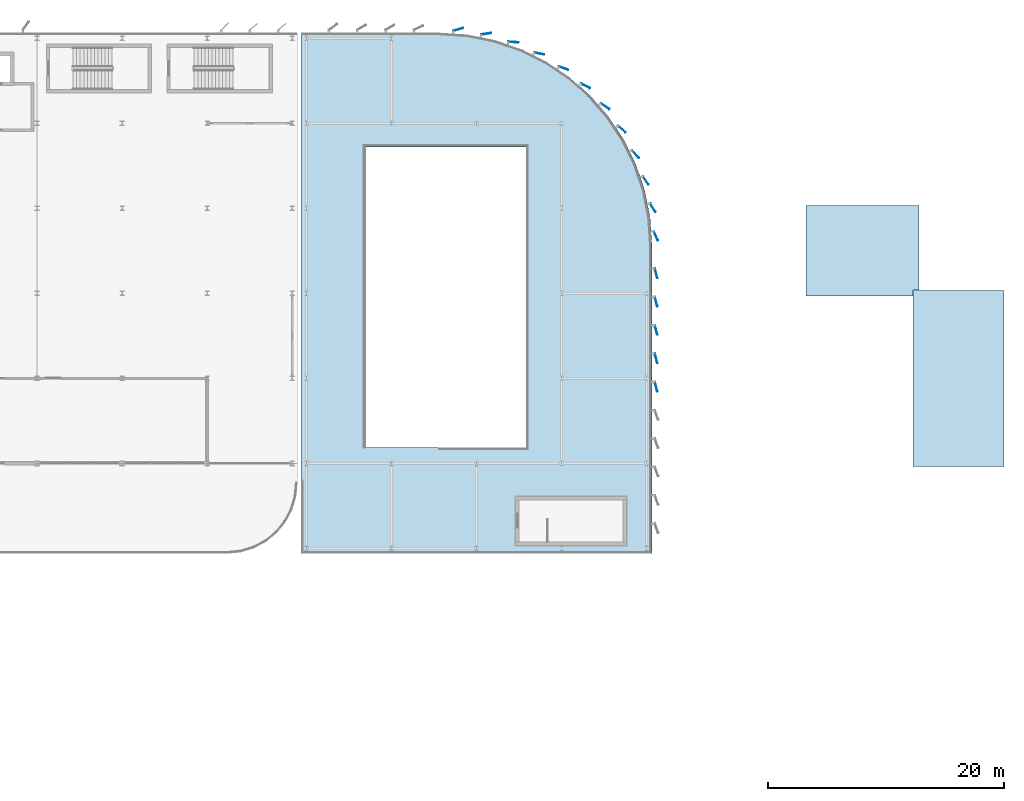
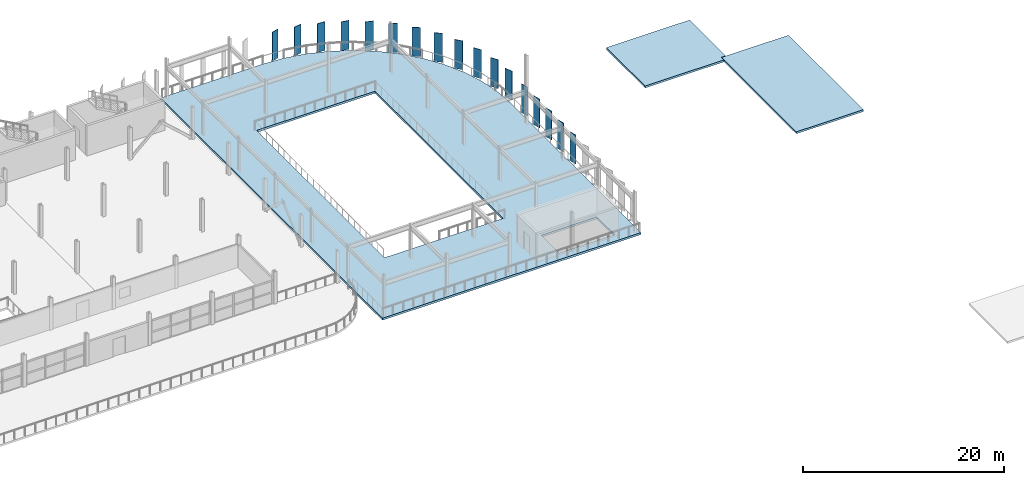
# One storey, part 24 of 40: 17 plates, 3 slabs.
"""IFC4 building model written with IfcOpenShell, lengths in metres."""

from ifc_helpers import new_model, si_unit, direction, frame, origin, origin_2d, place, context, subcontext, project, spatial, polyline, rectangle, outline, extrude, material, layer, layer_set, type_object, element, save


model = new_model("IFC4")

# Units and contexts
model_context = context("Model", 3, precision=1e-05, world=origin(), true_north=direction((0.0, 1.0)))
body_context = subcontext(model_context, "Body", "Model", "MODEL_VIEW")
ifc_project = project(units=[si_unit("LENGTHUNIT", "METRE"), si_unit("AREAUNIT", "SQUARE_METRE"), si_unit("VOLUMEUNIT", "CUBIC_METRE"), si_unit("PLANEANGLEUNIT", "RADIAN"), si_unit("MASSUNIT", "GRAM", prefix="KILO")], contexts=[model_context])

# Site, building, storey
site_placement = place(None, origin())
site = spatial("IfcSite", under=ifc_project, at=site_placement, CompositionType="ELEMENT")
building_placement = place(site_placement, origin())
building = spatial("IfcBuilding", under=site, at=building_placement, Name="Vaelcorin Mobility Hub", CompositionType="ELEMENT")
storey_placement = place(building_placement, frame((0.0, 0.0, 17.10009765625)))
storey = spatial("IfcBuildingStorey", under=building, at=storey_placement, Name="L04", CompositionType="ELEMENT", Elevation=17.10009765625)

# Plates
ifc_material_1 = material(Name="Perforated terracotta-bronze aluminium aerofoil", Category="masonry")
ifc_layer_1 = layer(ifc_material_1, 0.06005859375)
ifc_layer_set_1 = layer_set([ifc_layer_1], Name="Perforated terracotta-bronze aluminium aerofoil")
plate_type = type_object("IfcPlateType", Name="PL-FIN-AF1", PredefinedType="SHEET", material=ifc_layer_set_1)
for number, where, z_axis, x_axis, name in (
    (1, (153.18408203125, 103.2509765625, -0.16015625), (0.0, 0.0, 1.0), (0.402762664996, -0.915304449724, 0.0), "Rotating Terracotta-Bronze Aerofoil Fin FIN-V2E-L04-ARC-01"),
    (2, (152.922119140625, 105.636962890625, -0.16015625), (0.0, 0.0, 1.0), (0.51859419446, -0.855020503539, 0.0), "Rotating Terracotta-Bronze Aerofoil Fin FIN-V2E-L04-ARC-02"),
    (3, (152.322021484375, 107.947021484375, -0.16015625), (0.0, 0.0, 1.0), (0.555686322663, -0.831392031959, 0.0), "Rotating Terracotta-Bronze Aerofoil Fin FIN-V2E-L04-ARC-03"),
    (4, (151.455078125, 110.180908203125, -0.16015625), (0.0, 0.0, 1.0), (0.659477025858, -0.751724718475, 0.0), "Rotating Terracotta-Bronze Aerofoil Fin FIN-V2E-L04-ARC-04"),
    (5, (150.302978515625, 112.281982421875, -0.16015625), (0.0, 0.0, 1.0), (0.751770756824, -0.659424543965, 0.0), "Rotating Terracotta-Bronze Aerofoil Fin FIN-V2E-L04-ARC-05"),
    (6, (148.887939453125, 114.215087890625, -0.16015625), (0.0, 0.0, 1.0), (0.831421126488, -0.555642790316, 0.0), "Rotating Terracotta-Bronze Aerofoil Fin FIN-V2E-L04-ARC-06"),
    (7, (147.23193359375, 115.947021484375, -0.16015625), (0.0, 0.0, 1.0), (0.896911335087, -0.442210421623, 0.0), "Rotating Terracotta-Bronze Aerofoil Fin FIN-V2E-L04-ARC-07"),
    (8, (145.364990234375, 117.447021484375, -0.16015625), (0.0, 0.0, 1.0), (0.946963785365, -0.32134030125, 0.0), "Rotating Terracotta-Bronze Aerofoil Fin FIN-V2E-L04-ARC-08"),
    (9, (143.31689453125, 118.69091796875, -0.16015625), (0.0, 0.0, 1.0), (0.980751215781, -0.195261498368, 0.0), "Rotating Terracotta-Bronze Aerofoil Fin FIN-V2E-L04-ARC-09"),
    (10, (141.125, 119.657958984375, -0.16015625), (0.0, 0.0, 1.0), (0.997849781512, -0.065542455982, 0.0), "Rotating Terracotta-Bronze Aerofoil Fin FIN-V2E-L04-ARC-10"),
    (11, (138.821044921875, 120.366943359375, -0.16015625), (0.0, 0.0, 1.0), (0.988329628143, 0.152330384803, 0.0), "Rotating Terracotta-Bronze Aerofoil Fin FIN-V2E-L04-ARC-11"),
    (12, (136.447998046875, 120.73095703125, -0.16015625), (0.0, 0.0, 1.0), (0.960054738177, 0.279812257957, 0.0), "Rotating Terracotta-Bronze Aerofoil Fin FIN-V2E-L04-ARC-12"),
    (13, (153.199951171875, 100.089111328125, -0.16015625), (0.0, 0.0, 1.0), (0.258819045103, -0.965925826289, 0.0), "Rotating Terracotta-Bronze Aerofoil Fin FIN-V2E-L04-E-AF-01"),
    (14, (153.199951171875, 97.68896484375, -0.16015625), (0.0, 0.0, 1.0), (0.258819045103, -0.965925826289, 0.0), "Rotating Terracotta-Bronze Aerofoil Fin FIN-V2E-L04-E-AF-02"),
    (15, (153.199951171875, 95.2890625, -0.16015625), (0.0, 0.0, 1.0), (0.258819045103, -0.965925826289, 0.0), "Rotating Terracotta-Bronze Aerofoil Fin FIN-V2E-L04-E-AF-03"),
    (16, (153.199951171875, 92.888916015625, -0.16015625), (0.0, 0.0, 1.0), (0.258819045103, -0.965925826289, 0.0), "Rotating Terracotta-Bronze Aerofoil Fin FIN-V2E-L04-E-AF-04"),
    (17, (153.199951171875, 90.489013671875, -0.16015625), (0.0, 0.0, 1.0), (0.258819045103, -0.965925826289, 0.0), "Rotating Terracotta-Bronze Aerofoil Fin FIN-V2E-L04-E-AF-05"),
):
    element("IfcPlate", number, at=place(storey_placement, frame(where, z_axis=z_axis, x_axis=x_axis)), inside=storey, type_object=plate_type, Name=name, PredefinedType="SHEET", context=body_context, shape_type="SweptSolid", body=[
        extrude(rectangle(XDim=0.85009765625, YDim=0.06005859375, at=origin_2d()), origin(), (0.0, 0.0, 1.0), 3.5),
    ])

# Slabs
ifc_material_2 = material(Name="Concrete f'c 35 MPa", Category="concrete")
ifc_layer_2 = layer(ifc_material_2, 0.199951171875)
ifc_layer_set_2 = layer_set([ifc_layer_2], Name="Concrete f'c 35 MPa")
slab_type_1 = type_object("IfcSlabType", Name="SLAB-RF-V4P", PredefinedType="ROOF", material=ifc_layer_set_2)
slab_1_placement = place(storey_placement, frame((0.0, 0.0, -0.239990234375)))
element("IfcSlab", 18, at=slab_1_placement, inside=storey, type_object=slab_type_1, Name="Roof Garden Pavilion Canopy GPAVN", PredefinedType="ROOF", context=body_context, shape_type="SweptSolid", body=[
    extrude(outline(polyline([(174.949951171875, 83.75), (182.64990234375, 83.75), (182.64990234375, 98.64990234375), (174.949951171875, 98.64990234375), (174.949951171875, 83.75)])), origin(), (0.0, 0.0, 1.0), 0.239990234375),
])
slab_2_placement = place(storey_placement, frame((0.0, 0.0, -0.239990234375)))
element("IfcSlab", 19, at=slab_2_placement, inside=storey, type_object=slab_type_1, Name="North Garden Lift Lobby Canopy Roof", PredefinedType="ROOF", context=body_context, shape_type="SweptSolid", body=[
    extrude(outline(polyline([(165.89990234375, 98.14990234375), (174.93994140625, 98.14990234375), (174.93994140625, 98.659912109375), (175.449951171875, 98.659912109375), (175.449951171875, 105.85009765625), (165.89990234375, 105.85009765625), (165.89990234375, 98.14990234375)])), origin(), (0.0, 0.0, 1.0), 0.239990234375),
])
ifc_layer_3 = layer(ifc_material_2, 0.25)
ifc_layer_set_3 = layer_set([ifc_layer_3], Name="Concrete f'c 35 MPa")
slab_type_2 = type_object("IfcSlabType", Name="SLAB-RMP", PredefinedType="FLOOR", material=ifc_layer_set_3)
slab_3_placement = place(storey_placement, frame((0.0, 0.0, -0.25)))
element("IfcSlab", 20, at=slab_3_placement, inside=storey, type_object=slab_type_2, Name="L04 V2E Ramp Transition Deck SL-V2E-L04", PredefinedType="FLOOR", context=body_context, shape_type="SweptSolid", body=[
    extrude(outline(polyline([(123.14990234375, 120.449951171875), (134.85009765625, 120.449951171875), (137.198974609375, 120.2958984375), (139.509033203125, 119.8369140625), (141.738037109375, 119.080078125), (143.85009765625, 118.0380859375), (145.80810546875, 116.72998046875), (147.577880859375, 115.177978515625), (149.1298828125, 113.407958984375), (150.43798828125, 111.449951171875), (151.47998046875, 109.337890625), (152.237060546875, 107.10888671875), (152.696044921875, 104.799072265625), (152.85009765625, 102.449951171875), (152.85009765625, 76.35009765625), (123.14990234375, 76.35009765625), (123.14990234375, 120.449951171875)]), holes=[polyline([(144.054931640625, 80.909912109375), (144.054931640625, 77.35009765625), (150.39990234375, 77.35009765625), (150.39990234375, 80.909912109375), (144.054931640625, 80.909912109375)]), polyline([(128.60009765625, 110.800048828125), (128.60009765625, 85.340087890625), (142.199951171875, 85.340087890625), (142.199951171875, 110.800048828125), (128.60009765625, 110.800048828125)])]), origin(), (0.0, 0.0, 1.0), 0.25),
])

save(model, "model.ifc")
